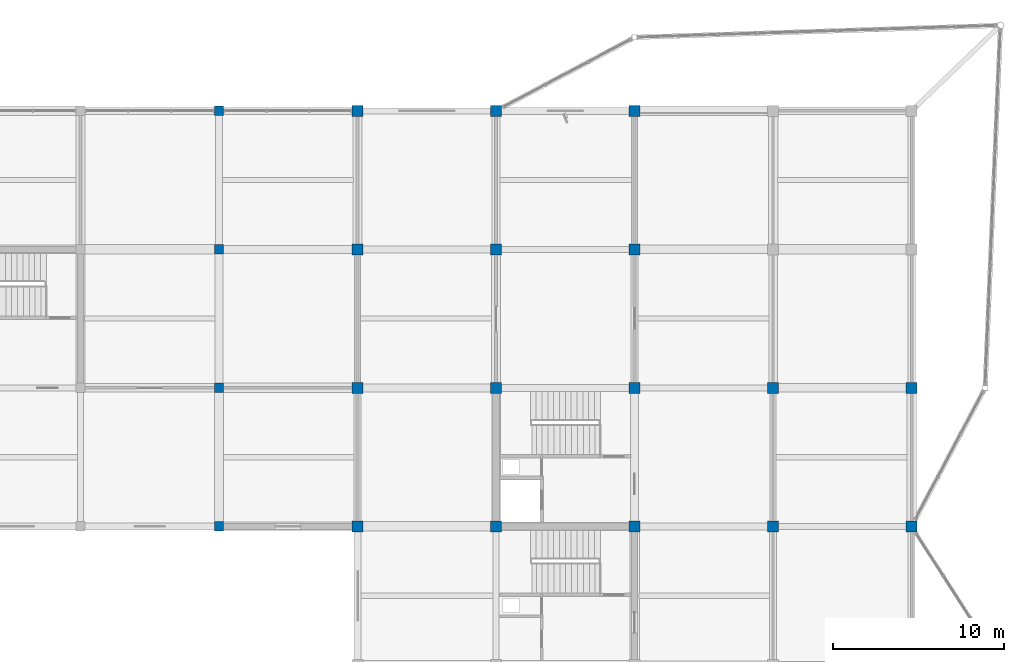
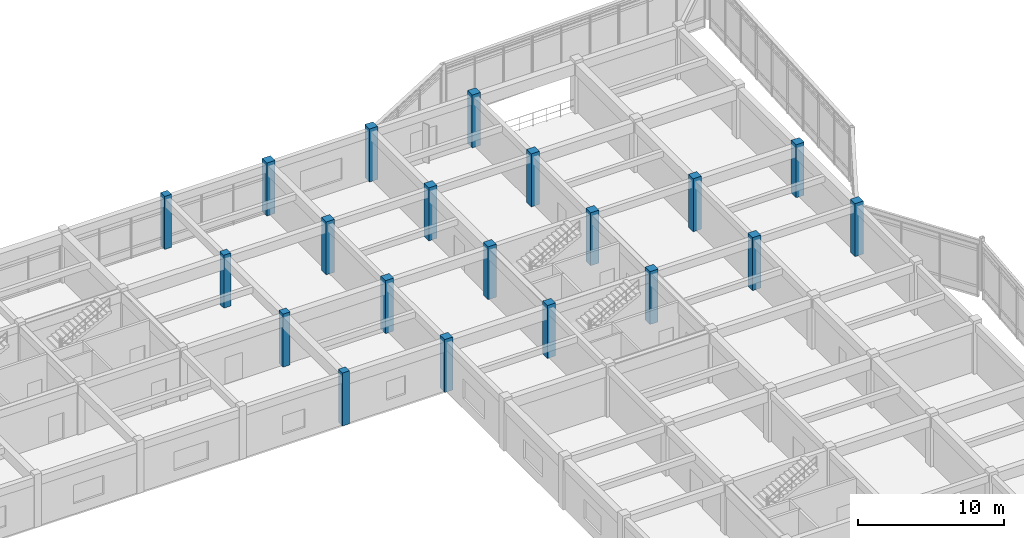
# One storey, part 4 of 42: 20 columns.
"""IFC4 building model written with IfcOpenShell, lengths in metres."""

import ifcopenshell
import ifcopenshell.guid

model = None  # the IFC model being written
_history = None  # IfcOwnerHistory: only IFC2X3 demands one
_inside = {}  # id of a spatial element -> (the spatial element, [elements in it])
_under = {}  # id of a project, library or spatial element -> (it, [spatial elements below it])
_declared = {}  # id of a project -> (the project, [libraries it declares])
_typed = {}  # id of a type object -> (the type object, [elements of that type])
_made_of = {}  # id of a material, layer set ... -> (it, [elements and type objects made of it])


def new_model(schema):
    """Start an empty IFC model of exactly this schema.

    Asked for "IFC4X3", IfcOpenShell would pick the latest addendum, in which some entities
    have other attributes; the version numbers below select the first issue.
    IFC2X3 requires an IfcOwnerHistory on every rooted entity: one is made here for all.
    """
    global model, _history
    if schema == "IFC4X3":
        model = ifcopenshell.file(schema_version=(4, 3, 0, 0))
    else:
        model = ifcopenshell.file(schema=schema)
    _inside.clear()
    _under.clear()
    _declared.clear()
    _typed.clear()
    _made_of.clear()
    _history = None
    if model.schema == "IFC2X3":
        org = make("IfcOrganization", Name="unknown")
        user = make(
            "IfcPersonAndOrganization",
            ThePerson=make("IfcPerson", FamilyName="unknown"),
            TheOrganization=org,
        )
        app = make(
            "IfcApplication",
            ApplicationDeveloper=org,
            Version="unknown",
            ApplicationFullName="unknown",
            ApplicationIdentifier="unknown",
        )
        _history = make(
            "IfcOwnerHistory",
            OwningUser=user,
            OwningApplication=app,
            ChangeAction="ADDED",
            CreationDate=0,
        )
    return model


def make(cls, **values):
    """One entity of the class cls with the attributes given. An attribute that is None is left unset."""
    return model.create_entity(
        cls, **{name: value for name, value in values.items() if value is not None}
    )


def rooted(cls, **values):
    """An entity with a GlobalId (a new one), such as an element, a storey or a relation."""
    return make(cls, GlobalId=ifcopenshell.guid.new(), OwnerHistory=_history, **values)


def si_unit(unit_type, name, prefix=None):
    """IfcSIUnit, for example si_unit("LENGTHUNIT", "METRE", prefix="MILLI")."""
    return make("IfcSIUnit", UnitType=unit_type, Prefix=prefix, Name=name)


def assignment(units):
    """IfcUnitAssignment: the units of a project."""
    return None if units is None else make("IfcUnitAssignment", Units=units)


def point(xyz):
    """IfcCartesianPoint."""
    return None if xyz is None else make("IfcCartesianPoint", Coordinates=xyz)


def direction(xyz):
    """IfcDirection."""
    return None if xyz is None else make("IfcDirection", DirectionRatios=xyz)


def frame(location, z_axis=None, x_axis=None):
    """IfcAxis2Placement3D, a coordinate frame: its origin and axes. An axis left out is left unset."""
    return make(
        "IfcAxis2Placement3D",
        Location=point(location),
        Axis=direction(z_axis),
        RefDirection=direction(x_axis),
    )


def frame_2d(location, x_axis=None):
    """IfcAxis2Placement2D, a coordinate frame in the plane: its origin and x axis."""
    return make(
        "IfcAxis2Placement2D", Location=point(location), RefDirection=direction(x_axis)
    )


def origin():
    """The frame at (0, 0, 0) with its axes left unset."""
    return frame((0.0, 0.0, 0.0))


def origin_2d():
    """The frame at (0, 0) in the plane with its x axis left unset."""
    return frame_2d((0.0, 0.0))


def place(relative_to, where):
    """IfcLocalPlacement: puts the frame where relative to a parent placement (None: the world)."""
    return make(
        "IfcLocalPlacement", PlacementRelTo=relative_to, RelativePlacement=where
    )


def context(
    kind, dimensions, precision=None, world=None, true_north=None, identifier=None
):
    """IfcGeometricRepresentationContext, for example the 3D "Model" context."""
    return make(
        "IfcGeometricRepresentationContext",
        ContextIdentifier=identifier,
        ContextType=kind,
        CoordinateSpaceDimension=dimensions,
        Precision=precision,
        WorldCoordinateSystem=world,
        TrueNorth=true_north,
    )


def subcontext(parent, identifier, kind, view, scale=None):
    """IfcGeometricRepresentationSubContext, for example "Body" below "Model"."""
    return make(
        "IfcGeometricRepresentationSubContext",
        ContextIdentifier=identifier,
        ContextType=kind,
        ParentContext=parent,
        TargetScale=scale,
        TargetView=view,
    )


def project(units=None, contexts=None):
    """IfcProject with its units and contexts."""
    return rooted(
        "IfcProject",
        Name="project",
        RepresentationContexts=contexts,
        UnitsInContext=assignment(units),
    )


def spatial(cls, under=None, at=None, **own):
    """A site, building, storey or space (cls), placed at a placement, below another one or the project."""
    s = rooted(cls, ObjectPlacement=at, **own)
    if under is not None:
        _under.setdefault(under.id(), (under, []))[1].append(s)
    return s


def profile(cls, at=None, kind="AREA", **sizes):
    """A parametric profile (cls). Its sizes go by their IFC names, for example OverallWidth=200.0."""
    return make(cls, ProfileType=kind, Position=at, **sizes)


def rectangle(**sizes):
    """IfcRectangleProfileDef."""
    return profile("IfcRectangleProfileDef", **sizes)


def extrude(swept, where, along, depth):
    """IfcExtrudedAreaSolid: the profile swept, set in the frame where, extruded along a direction by depth."""
    return make(
        "IfcExtrudedAreaSolid",
        SweptArea=swept,
        Position=where,
        ExtrudedDirection=direction(along),
        Depth=depth,
    )


def shape(context_of_items, identifier, shape_type, items):
    """IfcShapeRepresentation: the items that make up one representation, for example the "Body"."""
    return make(
        "IfcShapeRepresentation",
        ContextOfItems=context_of_items,
        RepresentationIdentifier=identifier,
        RepresentationType=shape_type,
        Items=items,
    )


def material(Name=None, Category=None):
    """IfcMaterial."""
    return make("IfcMaterial", Name=Name, Category=Category)


def material_profile(
    of_material, cross_section, Name=None, Category=None, Priority=None
):
    """IfcMaterialProfile: a cross section and its material."""
    return make(
        "IfcMaterialProfile",
        Name=Name,
        Material=of_material,
        Profile=cross_section,
        Priority=Priority,
        Category=Category,
    )


def profile_set(profiles, Name=None, composite=None):
    """IfcMaterialProfileSet."""
    return make(
        "IfcMaterialProfileSet",
        Name=Name,
        MaterialProfiles=profiles,
        CompositeProfile=composite,
    )


def made_of(thing, what):
    """Note that an element or type object is made of a material, layer set ...; save() writes the relation."""
    if what is not None:
        _made_of.setdefault(what.id(), (what, []))[1].append(thing)
    return thing


def type_object(cls, material=None, **own):
    """A type object (cls), such as IfcWallType, which elements share."""
    return made_of(rooted(cls, **own), material)


def element(
    cls,
    number,
    at=None,
    inside=None,
    cuts=None,
    type_object=None,
    material=None,
    context=None,
    identifier="Body",
    shape_type=None,
    held_by="IfcProductDefinitionShape",
    body=None,
    shapes=None,
    **own,
):
    """One element of the class cls, such as IfcWall. Its Tag is "e" and its number.

    at: its placement. inside: the storey or other place that contains it. cuts: it is an
    opening in that element (IfcRelVoidsElement). A single representation is given by context,
    identifier, shape_type and body (its items); several are given by shapes. held_by: the class
    of the entity that holds the representations. save() writes the other relations.
    """
    e = rooted(cls, Tag="e%d" % number, ObjectPlacement=at, **own)
    if body is not None:
        shapes = [shape(context, identifier, shape_type, body)]
    if shapes is not None:
        e.Representation = make(held_by, Representations=shapes)
    if inside is not None:
        _inside.setdefault(inside.id(), (inside, []))[1].append(e)
    if cuts is not None:
        rooted(
            "IfcRelVoidsElement", RelatingBuildingElement=cuts, RelatedOpeningElement=e
        )
    if type_object is not None:
        _typed.setdefault(type_object.id(), (type_object, []))[1].append(e)
    return made_of(e, material)


def aggregate(whole, parts):
    """IfcRelAggregates: a whole, such as a stair, and the parts it consists of."""
    return rooted("IfcRelAggregates", RelatingObject=whole, RelatedObjects=parts)


def save(model, path):
    """Write the relations noted so far, then the file.

    IfcRelAggregates (storeys below a building ...), IfcRelContainedInSpatialStructure (elements
    in a storey), IfcRelDefinesByType, IfcRelAssociatesMaterial and IfcRelDeclares: one each for
    every whole, place, type object, material and project.
    """
    for whole, parts in _under.values():
        aggregate(whole, parts)
    for where, things in _inside.values():
        rooted(
            "IfcRelContainedInSpatialStructure",
            RelatedElements=things,
            RelatingStructure=where,
        )
    for kind, things in _typed.values():
        rooted("IfcRelDefinesByType", RelatedObjects=things, RelatingType=kind)
    for what, things in _made_of.values():
        rooted("IfcRelAssociatesMaterial", RelatedObjects=things, RelatingMaterial=what)
    for by, libraries in _declared.values():
        rooted("IfcRelDeclares", RelatingContext=by, RelatedDefinitions=libraries)
    model.write(path)


model = new_model("IFC4")

# Units and contexts
model_context = context("Model", 3, precision=1e-05, world=origin(), true_north=direction((0.0, 1.0)))
body_context = subcontext(model_context, "Body", "Model", "MODEL_VIEW")
ifc_project = project(units=[si_unit("LENGTHUNIT", "METRE"), si_unit("AREAUNIT", "SQUARE_METRE"), si_unit("VOLUMEUNIT", "CUBIC_METRE"), si_unit("PLANEANGLEUNIT", "RADIAN"), si_unit("MASSUNIT", "GRAM", prefix="KILO")], contexts=[model_context])

# Site, building, storey
site_placement = place(None, origin())
site = spatial("IfcSite", under=ifc_project, at=site_placement, CompositionType="ELEMENT")
building_placement = place(site_placement, origin())
building = spatial("IfcBuilding", under=site, at=building_placement, Name="Vaudrelin Polytechnic", CompositionType="ELEMENT")
storey_placement = place(building_placement, frame((0.0, 0.0, 18.530029296875)))
storey = spatial("IfcBuildingStorey", under=building, at=storey_placement, Name="L04", CompositionType="ELEMENT", Elevation=18.530029296875)

# Columns
ifc_material = material(Name="Concrete 40 MPa", Category="concrete")
ifc_material_profile_1 = material_profile(ifc_material, rectangle(XDim=0.550048828125, YDim=0.550048828125, at=origin_2d()), Name="RC550x550")
ifc_profile_set_1 = profile_set([ifc_material_profile_1], Name="Concrete 40 MPa")
column_type_1 = type_object("IfcColumnType", Name="COL-C-RC550", PredefinedType="COLUMN", material=ifc_profile_set_1)
for number, where, z_axis, x_axis, name in (
    (1, (129.60009765625, 97.199951171875, 0.0), (0.0, 0.0, 1.0), (1.0, 0.0, 0.0), "Column L04 17-13"),
    (2, (129.60009765625, 105.300048828125, 0.0), (0.0, 0.0, 1.0), (1.0, 0.0, 0.0), "Column L04 17-14"),
    (3, (129.60009765625, 113.39990234375, 0.0), (0.0, 0.0, 1.0), (1.0, 0.0, 0.0), "Column L04 17-15"),
    (4, (129.60009765625, 121.5, 0.0), (0.0, 0.0, 1.0), (1.0, 0.0, 0.0), "Column L04 17-16"),
):
    element("IfcColumn", number, at=place(storey_placement, frame(where, z_axis=z_axis, x_axis=x_axis)), inside=storey, type_object=column_type_1, Name=name, PredefinedType="COLUMN", context=body_context, shape_type="SweptSolid", body=[
        extrude(rectangle(XDim=0.550048828125, YDim=0.550048828125, at=origin_2d()), origin(), (0.0, 0.0, 1.0), 4.419921875),
    ])
ifc_material_profile_2 = material_profile(ifc_material, rectangle(XDim=0.64990234375, YDim=0.64990234375, at=origin_2d()), Name="RC650x650")
ifc_profile_set_2 = profile_set([ifc_material_profile_2], Name="Concrete 40 MPa")
column_type_2 = type_object("IfcColumnType", Name="COL-C-RC650", PredefinedType="COLUMN", material=ifc_profile_set_2)
for number, where, z_axis, x_axis, name in (
    (5, (137.699951171875, 97.199951171875, 0.0), (0.0, 0.0, 1.0), (1.0, 0.0, 0.0), "Column L04 18-13"),
    (6, (137.699951171875, 105.300048828125, 0.0), (0.0, 0.0, 1.0), (1.0, 0.0, 0.0), "Column L04 18-14"),
    (7, (137.699951171875, 113.39990234375, 0.0), (0.0, 0.0, 1.0), (1.0, 0.0, 0.0), "Column L04 18-15"),
    (8, (137.699951171875, 121.5, 0.0), (0.0, 0.0, 1.0), (1.0, 0.0, 0.0), "Column L04 18-16"),
    (9, (145.800048828125, 97.199951171875, 0.0), (0.0, 0.0, 1.0), (1.0, 0.0, 0.0), "Column L04 19-13"),
    (10, (145.800048828125, 105.300048828125, 0.0), (0.0, 0.0, 1.0), (1.0, 0.0, 0.0), "Column L04 19-14"),
    (11, (145.800048828125, 113.39990234375, 0.0), (0.0, 0.0, 1.0), (1.0, 0.0, 0.0), "Column L04 19-15"),
    (12, (145.800048828125, 121.5, 0.0), (0.0, 0.0, 1.0), (1.0, 0.0, 0.0), "Column L04 19-16"),
    (13, (153.89990234375, 97.199951171875, 0.0), (0.0, 0.0, 1.0), (1.0, 0.0, 0.0), "Column L04 20-13"),
    (14, (153.89990234375, 105.300048828125, 0.0), (0.0, 0.0, 1.0), (1.0, 0.0, 0.0), "Column L04 20-14"),
    (15, (153.89990234375, 113.39990234375, 0.0), (0.0, 0.0, 1.0), (1.0, 0.0, 0.0), "Column L04 20-15"),
    (16, (153.89990234375, 121.5, 0.0), (0.0, 0.0, 1.0), (1.0, 0.0, 0.0), "Column L04 20-16"),
    (17, (162.0, 97.199951171875, 0.0), (0.0, 0.0, 1.0), (1.0, 0.0, 0.0), "Column L04 21-13"),
    (18, (162.0, 105.300048828125, 0.0), (0.0, 0.0, 1.0), (1.0, 0.0, 0.0), "Column L04 21-14"),
    (19, (170.10009765625, 97.199951171875, 0.0), (0.0, 0.0, 1.0), (1.0, 0.0, 0.0), "Column L04 22-13"),
    (20, (170.10009765625, 105.300048828125, 0.0), (0.0, 0.0, 1.0), (1.0, 0.0, 0.0), "Column L04 22-14"),
):
    element("IfcColumn", number, at=place(storey_placement, frame(where, z_axis=z_axis, x_axis=x_axis)), inside=storey, type_object=column_type_2, Name=name, PredefinedType="COLUMN", context=body_context, shape_type="SweptSolid", body=[
        extrude(rectangle(XDim=0.64990234375, YDim=0.64990234375, at=origin_2d()), origin(), (0.0, 0.0, 1.0), 4.419921875),
    ])

save(model, "model.ifc")
